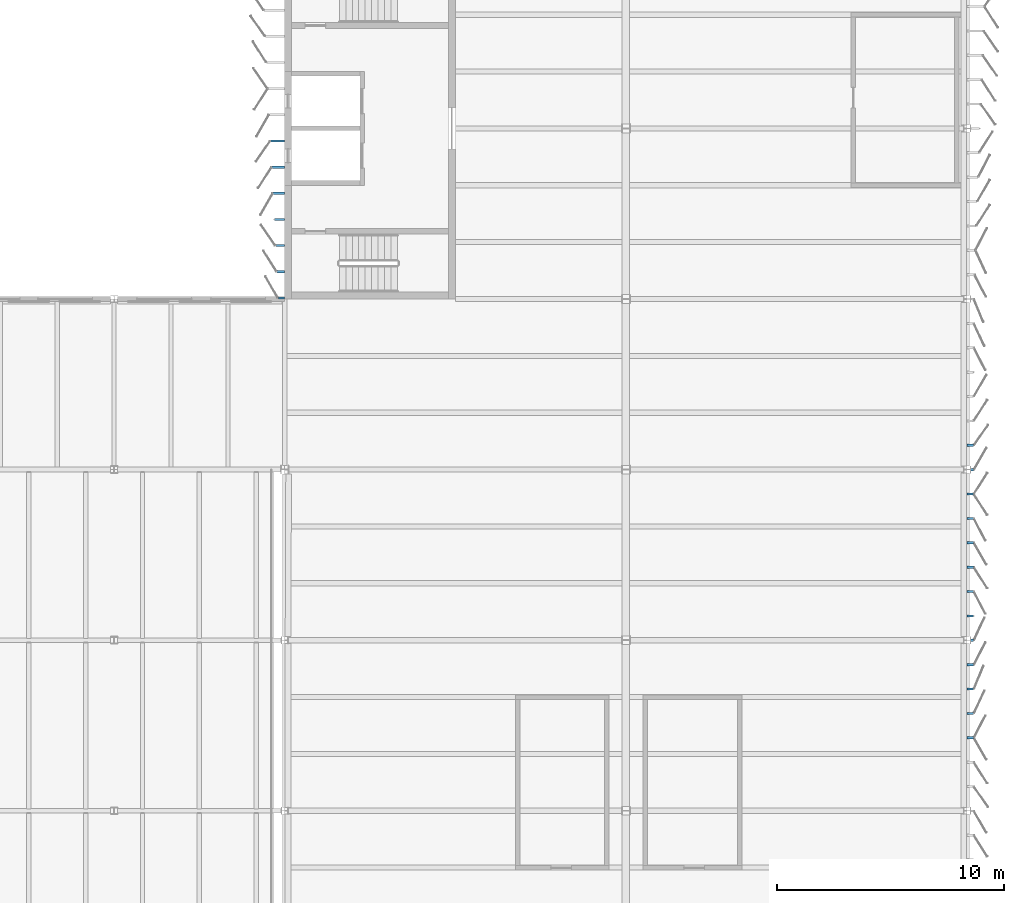
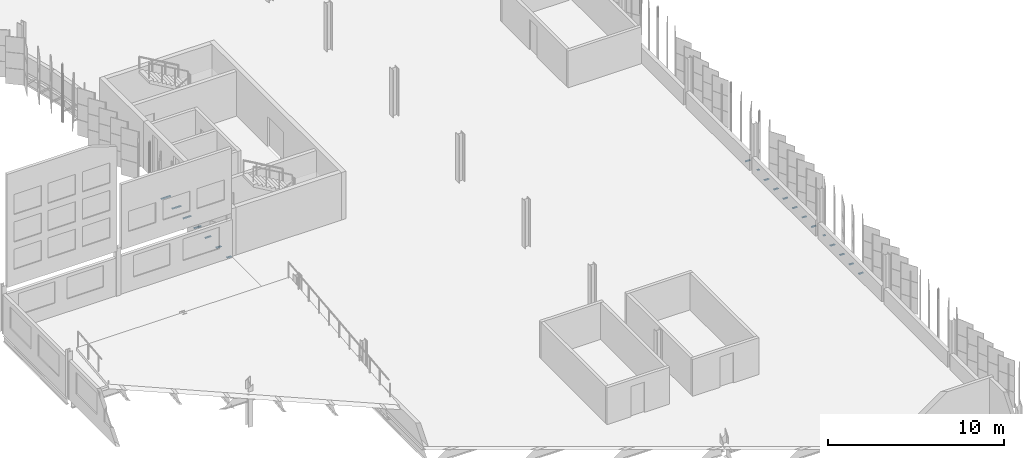
# One storey, part 169 of 199: 20 discrete accessories.
"""IFC4 building model written with IfcOpenShell, lengths in metres."""

from ifc_helpers import new_model, si_unit, direction, frame, origin, origin_2d, place, context, subcontext, project, spatial, rectangle, extrude, material, type_object, element, save


model = new_model("IFC4")

# Units and contexts
model_context = context("Model", 3, precision=1e-05, world=origin(), true_north=direction((0.0, 1.0)))
body_context = subcontext(model_context, "Body", "Model", "MODEL_VIEW")
ifc_project = project(units=[si_unit("LENGTHUNIT", "METRE"), si_unit("AREAUNIT", "SQUARE_METRE"), si_unit("VOLUMEUNIT", "CUBIC_METRE"), si_unit("PLANEANGLEUNIT", "RADIAN"), si_unit("MASSUNIT", "GRAM", prefix="KILO")], contexts=[model_context])

# Site, building, storey
site_placement = place(None, origin())
site = spatial("IfcSite", under=ifc_project, at=site_placement, CompositionType="ELEMENT")
building_placement = place(site_placement, origin())
building = spatial("IfcBuilding", under=site, at=building_placement, Name="Parallax Yard Mobility Hub", CompositionType="ELEMENT")
storey_placement = place(building_placement, frame((0.0, 0.0, 9.89990234375)))
storey = spatial("IfcBuildingStorey", under=building, at=storey_placement, Name="L03", CompositionType="ELEMENT", Elevation=9.89990234375)

# Discrete accessories
ifc_material = material(Name="Steel ASTM A36, hot-dip galvanised", Category="steel")
discrete_accessory_type = type_object("IfcDiscreteAccessoryType", Name="Hinge bracket plate 100x50", PredefinedType="BRACKET", material=ifc_material)
for number, where, z_axis, x_axis, name in (
    (1, (225.1416015625, 55.70703125, -0.02490234375), (0.0, 0.0, 1.0), (1.0, 0.0, 0.0), "Hinge bracket plate bay 36.4 level L03"),
    (2, (225.1416015625, 56.77880859375, -0.02490234375), (0.0, 0.0, 1.0), (1.0, 0.0, 0.0), "Hinge bracket plate bay 36.5 level L03"),
    (3, (225.1416015625, 57.8505859375, -0.02490234375), (0.0, 0.0, 1.0), (1.0, 0.0, 0.0), "Hinge bracket plate bay 36.6 level L03"),
    (4, (225.1416015625, 58.922119140625, -0.02490234375), (0.0, 0.0, 1.0), (1.0, 0.0, 0.0), "Hinge bracket plate bay 36.7 level L03"),
):
    element("IfcDiscreteAccessory", number, at=place(storey_placement, frame(where, z_axis=z_axis, x_axis=x_axis)), inside=storey, type_object=discrete_accessory_type, Name=name, PredefinedType="BRACKET", context=body_context, shape_type="SweptSolid", body=[
        extrude(rectangle(XDim=0.2841796875, YDim=0.10009765625, at=origin_2d()), origin(), (0.0, 0.0, 1.0), 0.050048828125),
    ])
discrete_accessory_1_placement = place(storey_placement, frame((225.21826171875, 59.993896484375, -0.02490234375), z_axis=(0.0, 0.0, 1.0), x_axis=(1.0, 0.0, 0.0)))
element("IfcDiscreteAccessory", 5, at=discrete_accessory_1_placement, inside=storey, type_object=discrete_accessory_type, Name="Hinge bracket plate bay 37.1 level L03", PredefinedType="BRACKET", context=body_context, shape_type="SweptSolid", body=[
    extrude(rectangle(XDim=0.130615234375, YDim=0.10009765625, at=origin_2d()), origin(), (0.0, 0.0, 1.0), 0.050048828125),
])
for number, where, z_axis, x_axis, name in (
    (6, (225.1416015625, 61.065673828125, -0.02490234375), (0.0, 0.0, 1.0), (1.0, 0.0, 0.0), "Hinge bracket plate bay 37.2 level L03"),
    (7, (225.1416015625, 62.137451171875, -0.02490234375), (0.0, 0.0, 1.0), (1.0, 0.0, 0.0), "Hinge bracket plate bay 37.3 level L03"),
    (8, (225.1416015625, 63.209228515625, -0.02490234375), (0.0, 0.0, 1.0), (1.0, 0.0, 0.0), "Hinge bracket plate bay 37.4 level L03"),
    (9, (225.1416015625, 64.281005859375, -0.02490234375), (0.0, 0.0, 1.0), (1.0, 0.0, 0.0), "Hinge bracket plate bay 37.5 level L03"),
    (10, (225.1416015625, 65.3525390625, -0.02490234375), (0.0, 0.0, 1.0), (1.0, 0.0, 0.0), "Hinge bracket plate bay 37.6 level L03"),
    (11, (225.1416015625, 66.42431640625, -0.02490234375), (0.0, 0.0, 1.0), (1.0, 0.0, 0.0), "Hinge bracket plate bay 37.7 level L03"),
):
    element("IfcDiscreteAccessory", number, at=place(storey_placement, frame(where, z_axis=z_axis, x_axis=x_axis)), inside=storey, type_object=discrete_accessory_type, Name=name, PredefinedType="BRACKET", context=body_context, shape_type="SweptSolid", body=[
        extrude(rectangle(XDim=0.2841796875, YDim=0.10009765625, at=origin_2d()), origin(), (0.0, 0.0, 1.0), 0.050048828125),
    ])
discrete_accessory_2_placement = place(storey_placement, frame((225.21826171875, 67.49609375, -0.02490234375), z_axis=(0.0, 0.0, 1.0), x_axis=(1.0, 0.0, 0.0)))
element("IfcDiscreteAccessory", 12, at=discrete_accessory_2_placement, inside=storey, type_object=discrete_accessory_type, Name="Hinge bracket plate bay 38.1 level L03", PredefinedType="BRACKET", context=body_context, shape_type="SweptSolid", body=[
    extrude(rectangle(XDim=0.130615234375, YDim=0.10009765625, at=origin_2d()), origin(), (0.0, 0.0, 1.0), 0.050048828125),
])
discrete_accessory_3_placement = place(storey_placement, frame((225.1416015625, 68.56787109375, -0.02490234375), z_axis=(0.0, 0.0, 1.0), x_axis=(1.0, 0.0, 0.0)))
element("IfcDiscreteAccessory", 13, at=discrete_accessory_3_placement, inside=storey, type_object=discrete_accessory_type, Name="Hinge bracket plate bay 38.2 level L03", PredefinedType="BRACKET", context=body_context, shape_type="SweptSolid", body=[
    extrude(rectangle(XDim=0.2841796875, YDim=0.10009765625, at=origin_2d()), origin(), (0.0, 0.0, 1.0), 0.050048828125),
])
discrete_accessory_4_placement = place(storey_placement, frame((194.69091796875, 81.948486328125, -0.02490234375), z_axis=(0.0, 0.0, 1.0), x_axis=(-1.0, 0.0, 0.0)))
element("IfcDiscreteAccessory", 14, at=discrete_accessory_4_placement, inside=storey, type_object=discrete_accessory_type, Name="Hinge bracket plate bay 23.8 level L03", PredefinedType="BRACKET", context=body_context, shape_type="SweptSolid", body=[
    extrude(rectangle(XDim=0.619384765625, YDim=0.10009765625, at=origin_2d()), origin(), (0.0, 0.0, 1.0), 0.050048828125),
])
discrete_accessory_5_placement = place(storey_placement, frame((194.719482421875, 80.798095703125, -0.02490234375), z_axis=(0.0, 0.0, 1.0), x_axis=(-1.0, 0.0, 0.0)))
element("IfcDiscreteAccessory", 15, at=discrete_accessory_5_placement, inside=storey, type_object=discrete_accessory_type, Name="Hinge bracket plate bay 23.9 level L03", PredefinedType="BRACKET", context=body_context, shape_type="SweptSolid", body=[
    extrude(rectangle(XDim=0.56201171875, YDim=0.10009765625, at=origin_2d()), origin(), (0.0, 0.0, 1.0), 0.050048828125),
])
discrete_accessory_6_placement = place(storey_placement, frame((194.748291015625, 79.64794921875, -0.02490234375), z_axis=(0.0, 0.0, 1.0), x_axis=(-1.0, 0.0, 0.0)))
element("IfcDiscreteAccessory", 16, at=discrete_accessory_6_placement, inside=storey, type_object=discrete_accessory_type, Name="Hinge bracket plate bay 23.10 level L03", PredefinedType="BRACKET", context=body_context, shape_type="SweptSolid", body=[
    extrude(rectangle(XDim=0.50439453125, YDim=0.10009765625, at=origin_2d()), origin(), (0.0, 0.0, 1.0), 0.050048828125),
])
discrete_accessory_7_placement = place(storey_placement, frame((194.777099609375, 78.497802734375, -0.02490234375), z_axis=(0.0, 0.0, 1.0), x_axis=(-1.0, 0.0, 0.0)))
element("IfcDiscreteAccessory", 17, at=discrete_accessory_7_placement, inside=storey, type_object=discrete_accessory_type, Name="Hinge bracket plate bay 23.11 level L03", PredefinedType="BRACKET", context=body_context, shape_type="SweptSolid", body=[
    extrude(rectangle(XDim=0.447021484375, YDim=0.10009765625, at=origin_2d()), origin(), (0.0, 0.0, 1.0), 0.050048828125),
])
discrete_accessory_8_placement = place(storey_placement, frame((194.805908203125, 77.34765625, -0.02490234375), z_axis=(0.0, 0.0, 1.0), x_axis=(-1.0, 0.0, 0.0)))
element("IfcDiscreteAccessory", 18, at=discrete_accessory_8_placement, inside=storey, type_object=discrete_accessory_type, Name="Hinge bracket plate bay 23.12 level L03", PredefinedType="BRACKET", context=body_context, shape_type="SweptSolid", body=[
    extrude(rectangle(XDim=0.389404296875, YDim=0.10009765625, at=origin_2d()), origin(), (0.0, 0.0, 1.0), 0.050048828125),
])
discrete_accessory_9_placement = place(storey_placement, frame((194.834716796875, 76.197509765625, -0.02490234375), z_axis=(0.0, 0.0, 1.0), x_axis=(-1.0, 0.0, 0.0)))
element("IfcDiscreteAccessory", 19, at=discrete_accessory_9_placement, inside=storey, type_object=discrete_accessory_type, Name="Hinge bracket plate bay 23.13 level L03", PredefinedType="BRACKET", context=body_context, shape_type="SweptSolid", body=[
    extrude(rectangle(XDim=0.331787109375, YDim=0.10009765625, at=origin_2d()), origin(), (0.0, 0.0, 1.0), 0.050048828125),
])
discrete_accessory_10_placement = place(storey_placement, frame((194.8583984375, 75.047119140625, -0.02490234375), z_axis=(0.0, 0.0, 1.0), x_axis=(-1.0, 0.0, 0.0)))
element("IfcDiscreteAccessory", 20, at=discrete_accessory_10_placement, inside=storey, type_object=discrete_accessory_type, Name="Hinge bracket plate bay 23.14 level L03", PredefinedType="BRACKET", context=body_context, shape_type="SweptSolid", body=[
    extrude(rectangle(XDim=0.2841796875, YDim=0.10009765625, at=origin_2d()), origin(), (0.0, 0.0, 1.0), 0.050048828125),
])

save(model, "model.ifc")
